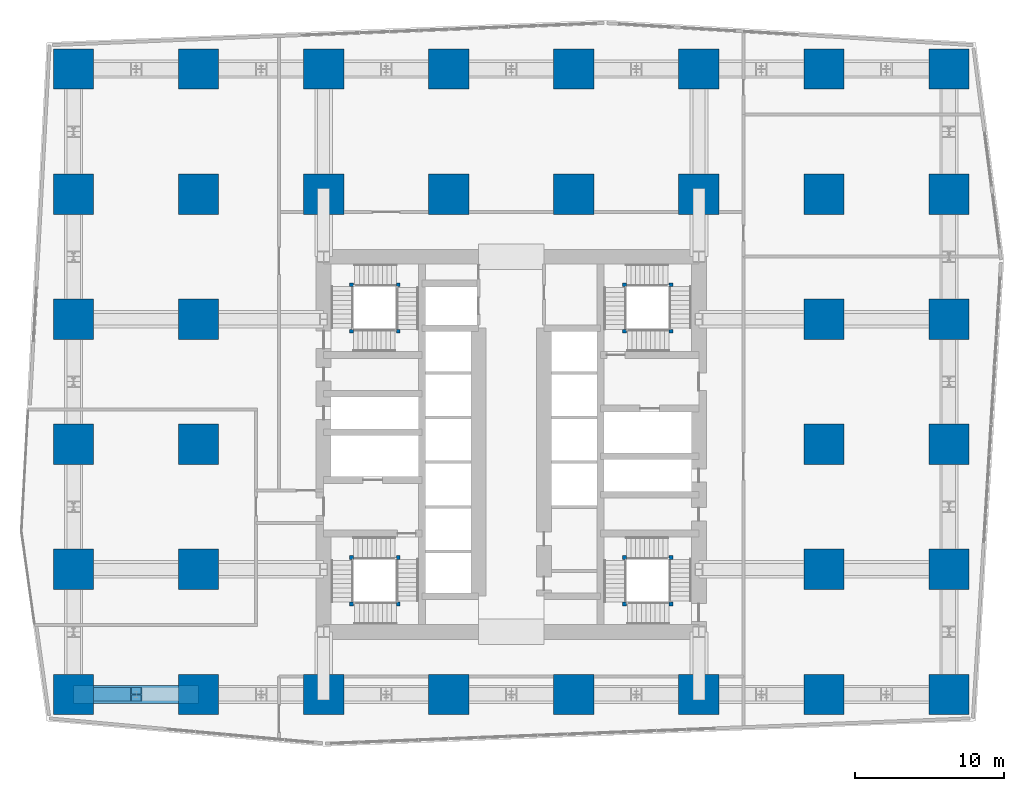
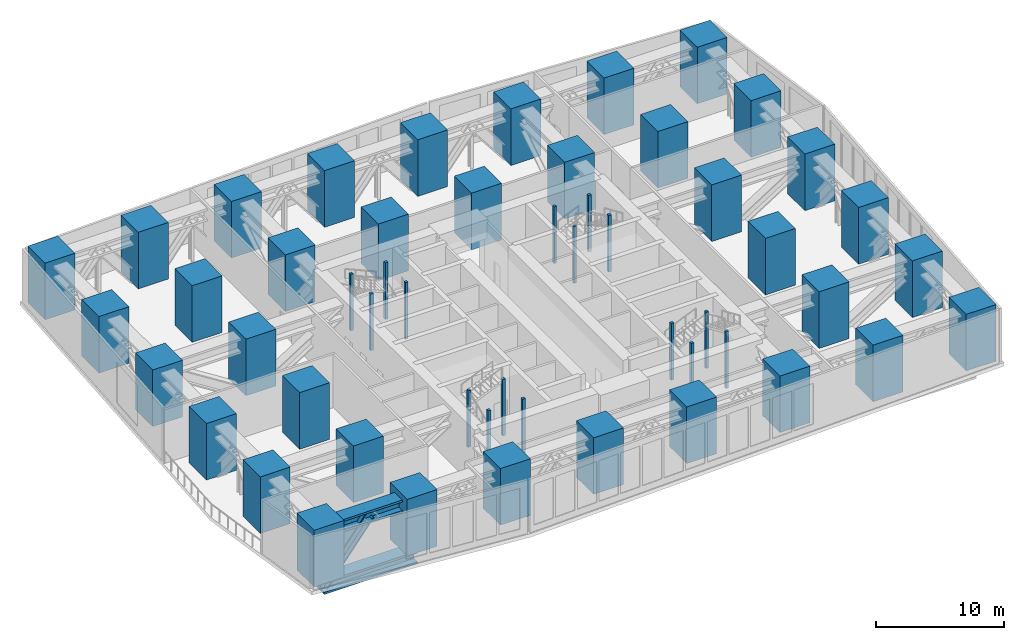
# One storey, part 1 of 16: 52 columns, 3 members.
"""IFC4 building model written with IfcOpenShell, lengths in metres."""

from ifc_helpers import new_model, si_unit, direction, frame, origin, origin_2d, place, context, subcontext, project, spatial, rectangle, i_section, extrude, material, material_profile, profile_set, type_object, element, save


model = new_model("IFC4")

# Units and contexts
model_context = context("Model", 3, precision=1e-05, world=origin(), true_north=direction((0.0, 1.0)))
body_context = subcontext(model_context, "Body", "Model", "MODEL_VIEW")
ifc_project = project(units=[si_unit("LENGTHUNIT", "METRE"), si_unit("AREAUNIT", "SQUARE_METRE"), si_unit("VOLUMEUNIT", "CUBIC_METRE"), si_unit("PLANEANGLEUNIT", "RADIAN"), si_unit("MASSUNIT", "GRAM", prefix="KILO")], contexts=[model_context])

# Site, building, storey
site_placement = place(None, origin())
site = spatial("IfcSite", under=ifc_project, at=site_placement, CompositionType="ELEMENT")
building_placement = place(site_placement, origin())
building = spatial("IfcBuilding", under=site, at=building_placement, Name="Rekha Terrace Tower", CompositionType="ELEMENT")
storey_placement = place(building_placement, frame((0.0, 0.0, 162.800048828125)))
storey = spatial("IfcBuildingStorey", under=building, at=storey_placement, Name="L41", CompositionType="ELEMENT", Elevation=162.800048828125)

# Columns
ifc_material_1 = material(Name="Concrete M70", Category="concrete")
ifc_material_profile_1 = material_profile(ifc_material_1, rectangle(XDim=2.699951171875, YDim=2.699951171875, at=origin_2d()), Name="RC 2700x2700")
ifc_profile_set_1 = profile_set([ifc_material_profile_1], Name="Concrete M70")
column_type_1 = type_object("IfcColumnType", Name="C4T 2700x2700 column", PredefinedType="COLUMN", material=ifc_profile_set_1)
for number, where, z_axis, x_axis, name in (
    (1, (8.39990234375, 16.800048828125, 0.0), (0.0, 0.0, 1.0), (1.0, 0.0, 0.0), "Column C4T 2/C L41"),
    (2, (8.39990234375, 25.199951171875, 0.0), (0.0, 0.0, 1.0), (1.0, 0.0, 0.0), "Column C4T 2/D L41"),
    (3, (8.39990234375, 33.60009765625, 0.0), (0.0, 0.0, 1.0), (1.0, 0.0, 0.0), "Column C4T 2/E L41"),
    (4, (8.39990234375, 42.0, 0.0), (0.0, 0.0, 1.0), (1.0, 0.0, 0.0), "Column C4T 2/F L41"),
    (5, (8.39990234375, 50.39990234375, 0.0), (0.0, 0.0, 1.0), (1.0, 0.0, 0.0), "Column C4T 2/G L41"),
    (6, (8.39990234375, 58.800048828125, 0.0), (0.0, 0.0, 1.0), (1.0, 0.0, 0.0), "Column C4T 2/H L41"),
    (7, (16.800048828125, 16.800048828125, 0.0), (0.0, 0.0, 1.0), (1.0, 0.0, 0.0), "Column C4T 3/C L41"),
    (8, (16.800048828125, 25.199951171875, 0.0), (0.0, 0.0, 1.0), (1.0, 0.0, 0.0), "Column C4T 3/D L41"),
    (9, (16.800048828125, 33.60009765625, 0.0), (0.0, 0.0, 1.0), (1.0, 0.0, 0.0), "Column C4T 3/E L41"),
    (10, (16.800048828125, 42.0, 0.0), (0.0, 0.0, 1.0), (1.0, 0.0, 0.0), "Column C4T 3/F L41"),
    (11, (16.800048828125, 50.39990234375, 0.0), (0.0, 0.0, 1.0), (1.0, 0.0, 0.0), "Column C4T 3/G L41"),
    (12, (16.800048828125, 58.800048828125, 0.0), (0.0, 0.0, 1.0), (1.0, 0.0, 0.0), "Column C4T 3/H L41"),
    (13, (25.199951171875, 16.800048828125, 0.0), (0.0, 0.0, 1.0), (1.0, 0.0, 0.0), "Column C4T 4/C L41"),
    (14, (25.199951171875, 50.39990234375, 0.0), (0.0, 0.0, 1.0), (1.0, 0.0, 0.0), "Column C4T 4/G L41"),
    (15, (25.199951171875, 58.800048828125, 0.0), (0.0, 0.0, 1.0), (1.0, 0.0, 0.0), "Column C4T 4/H L41"),
    (16, (33.60009765625, 16.800048828125, 0.0), (0.0, 0.0, 1.0), (1.0, 0.0, 0.0), "Column C4T 5/C L41"),
    (17, (33.60009765625, 50.39990234375, 0.0), (0.0, 0.0, 1.0), (1.0, 0.0, 0.0), "Column C4T 5/G L41"),
    (18, (33.60009765625, 58.800048828125, 0.0), (0.0, 0.0, 1.0), (1.0, 0.0, 0.0), "Column C4T 5/H L41"),
    (19, (42.0, 16.800048828125, 0.0), (0.0, 0.0, 1.0), (1.0, 0.0, 0.0), "Column C4T 6/C L41"),
    (20, (42.0, 50.39990234375, 0.0), (0.0, 0.0, 1.0), (1.0, 0.0, 0.0), "Column C4T 6/G L41"),
    (21, (42.0, 58.800048828125, 0.0), (0.0, 0.0, 1.0), (1.0, 0.0, 0.0), "Column C4T 6/H L41"),
    (22, (50.39990234375, 16.800048828125, 0.0), (0.0, 0.0, 1.0), (1.0, 0.0, 0.0), "Column C4T 7/C L41"),
    (23, (50.39990234375, 50.39990234375, 0.0), (0.0, 0.0, 1.0), (1.0, 0.0, 0.0), "Column C4T 7/G L41"),
    (24, (50.39990234375, 58.800048828125, 0.0), (0.0, 0.0, 1.0), (1.0, 0.0, 0.0), "Column C4T 7/H L41"),
    (25, (58.800048828125, 16.800048828125, 0.0), (0.0, 0.0, 1.0), (1.0, 0.0, 0.0), "Column C4T 8/C L41"),
    (26, (58.800048828125, 25.199951171875, 0.0), (0.0, 0.0, 1.0), (1.0, 0.0, 0.0), "Column C4T 8/D L41"),
    (27, (58.800048828125, 33.60009765625, 0.0), (0.0, 0.0, 1.0), (1.0, 0.0, 0.0), "Column C4T 8/E L41"),
    (28, (58.800048828125, 42.0, 0.0), (0.0, 0.0, 1.0), (1.0, 0.0, 0.0), "Column C4T 8/F L41"),
    (29, (58.800048828125, 50.39990234375, 0.0), (0.0, 0.0, 1.0), (1.0, 0.0, 0.0), "Column C4T 8/G L41"),
    (30, (58.800048828125, 58.800048828125, 0.0), (0.0, 0.0, 1.0), (1.0, 0.0, 0.0), "Column C4T 8/H L41"),
    (31, (67.199951171875, 16.800048828125, 0.0), (0.0, 0.0, 1.0), (1.0, 0.0, 0.0), "Column C4T 9/C L41"),
    (32, (67.199951171875, 25.199951171875, 0.0), (0.0, 0.0, 1.0), (1.0, 0.0, 0.0), "Column C4T 9/D L41"),
    (33, (67.199951171875, 33.60009765625, 0.0), (0.0, 0.0, 1.0), (1.0, 0.0, 0.0), "Column C4T 9/E L41"),
    (34, (67.199951171875, 42.0, 0.0), (0.0, 0.0, 1.0), (1.0, 0.0, 0.0), "Column C4T 9/F L41"),
    (35, (67.199951171875, 50.39990234375, 0.0), (0.0, 0.0, 1.0), (1.0, 0.0, 0.0), "Column C4T 9/G L41"),
    (36, (67.199951171875, 58.800048828125, 0.0), (0.0, 0.0, 1.0), (1.0, 0.0, 0.0), "Column C4T 9/H L41"),
):
    element("IfcColumn", number, at=place(storey_placement, frame(where, z_axis=z_axis, x_axis=x_axis)), inside=storey, type_object=column_type_1, Name=name, PredefinedType="COLUMN", context=body_context, shape_type="SweptSolid", body=[
        extrude(rectangle(XDim=2.699951171875, YDim=2.699951171875, at=origin_2d()), origin(), (0.0, 0.0, 1.0), 5.39990234375),
    ])
ifc_material_2 = material(Name="Concrete M60", Category="concrete")
ifc_material_profile_2 = material_profile(ifc_material_2, rectangle(XDim=0.25, YDim=0.25, at=origin_2d()), Name="RC 250x250")
ifc_profile_set_2 = profile_set([ifc_material_profile_2], Name="Concrete M60")
column_type_2 = type_object("IfcColumnType", Name="NP1 250x250 stair newel post", PredefinedType="COLUMN", material=ifc_profile_set_2)
for number, where, z_axis, x_axis, name in (
    (37, (30.199951171875, 26.0, 0.0), (0.0, 0.0, 1.0), (1.0, 0.0, 0.0), "Stair newel post NP1"),
    (38, (30.199951171875, 22.875, 0.0), (0.0, 0.0, 1.0), (1.0, 0.0, 0.0), "Stair newel post NP1"),
    (39, (27.074951171875, 22.875, 0.0), (0.0, 0.0, 1.0), (1.0, 0.0, 0.0), "Stair newel post NP1"),
    (40, (27.074951171875, 26.0, 0.0), (0.0, 0.0, 1.0), (1.0, 0.0, 0.0), "Stair newel post NP1"),
    (41, (45.39990234375, 41.199951171875, 0.0), (0.0, 0.0, 1.0), (1.0, 0.0, 0.0), "Stair newel post NP1"),
    (42, (45.39990234375, 44.324951171875, 0.0), (0.0, 0.0, 1.0), (1.0, 0.0, 0.0), "Stair newel post NP1"),
    (43, (48.52490234375, 44.324951171875, 0.0), (0.0, 0.0, 1.0), (1.0, 0.0, 0.0), "Stair newel post NP1"),
    (44, (48.52490234375, 41.199951171875, 0.0), (0.0, 0.0, 1.0), (1.0, 0.0, 0.0), "Stair newel post NP1"),
    (45, (48.52490234375, 22.875, 0.0), (0.0, 0.0, 1.0), (1.0, 0.0, 0.0), "Stair newel post NP1"),
    (46, (45.39990234375, 22.875, 0.0), (0.0, 0.0, 1.0), (1.0, 0.0, 0.0), "Stair newel post NP1"),
    (47, (45.39990234375, 26.0, 0.0), (0.0, 0.0, 1.0), (1.0, 0.0, 0.0), "Stair newel post NP1"),
    (48, (48.52490234375, 26.0, 0.0), (0.0, 0.0, 1.0), (1.0, 0.0, 0.0), "Stair newel post NP1"),
    (49, (27.074951171875, 41.199951171875, 0.0), (0.0, 0.0, 1.0), (1.0, 0.0, 0.0), "Stair newel post NP1"),
    (50, (30.199951171875, 41.199951171875, 0.0), (0.0, 0.0, 1.0), (1.0, 0.0, 0.0), "Stair newel post NP1"),
    (51, (30.199951171875, 44.324951171875, 0.0), (0.0, 0.0, 1.0), (1.0, 0.0, 0.0), "Stair newel post NP1"),
    (52, (27.074951171875, 44.324951171875, 0.0), (0.0, 0.0, 1.0), (1.0, 0.0, 0.0), "Stair newel post NP1"),
):
    element("IfcColumn", number, at=place(storey_placement, frame(where, z_axis=z_axis, x_axis=x_axis)), inside=storey, type_object=column_type_2, Name=name, PredefinedType="COLUMN", context=body_context, shape_type="SweptSolid", body=[
        extrude(rectangle(XDim=0.25, YDim=0.25, at=origin_2d()), origin(), (0.0, 0.0, 1.0), 5.39990234375),
    ])

# Members
ifc_material_3 = material(Name="Steel E350", Category="steel")
ifc_material_profile_3 = material_profile(ifc_material_3, i_section(OverallWidth=1.199951171875, OverallDepth=1.199951171875, WebThickness=0.1298828125, FlangeThickness=0.199951171875, at=origin_2d()), Name="BU 1200x1200x130x200")
ifc_profile_set_3 = profile_set([ifc_material_profile_3], Name="Steel E350")
member_type_1 = type_object("IfcMemberType", Name="BC41 BU 1200x1200x130x200 belt truss chord", PredefinedType="CHORD", material=ifc_profile_set_3)
for number, where, z_axis, x_axis, name in (
    (53, (8.39990234375, 16.800048828125, 4.300048828125), (1.0, 0.0, 0.0), (0.0, 1.0, 0.0), "Belt top chord 2C-3C L41"),
    (54, (8.39990234375, 16.800048828125, -1.050048828125), (1.0, 0.0, 0.0), (0.0, 1.0, 0.0), "Belt bottom chord 2C-3C L41"),
):
    element("IfcMember", number, at=place(storey_placement, frame(where, z_axis=z_axis, x_axis=x_axis)), inside=storey, type_object=member_type_1, Name=name, PredefinedType="CHORD", context=body_context, shape_type="SweptSolid", body=[
        extrude(i_section(OverallWidth=1.199951171875, OverallDepth=1.199951171875, WebThickness=0.1298828125, FlangeThickness=0.199951171875, at=origin_2d()), origin(), (0.0, 0.0, 1.0), 8.400146484375),
    ])
ifc_material_profile_4 = material_profile(ifc_material_3, i_section(OverallWidth=0.89990234375, OverallDepth=1.0, WebThickness=0.06005859375, FlangeThickness=0.10009765625, at=origin_2d()), Name="BU 1000x900x60x100")
ifc_profile_set_4 = profile_set([ifc_material_profile_4], Name="Steel E350")
member_type_2 = type_object("IfcMemberType", Name="BD41 BU 1000x900x60x100 belt truss diagonal", PredefinedType="BRACE", material=ifc_profile_set_4)
member_placement = place(storey_placement, frame((8.39990234375, 16.800048828125, -1.050048828125), z_axis=(0.617507634842, 0.0, 0.78656488665), x_axis=(0.0, 1.0, 0.0)))
element("IfcMember", 55, at=member_placement, inside=storey, type_object=member_type_2, Name="Belt diagonal 2C-3C L41", PredefinedType="BRACE", context=body_context, shape_type="SweptSolid", body=[
    extrude(i_section(OverallWidth=0.89990234375, OverallDepth=1.0, WebThickness=0.06005859375, FlangeThickness=0.10009765625, at=origin_2d()), origin(), (0.0, 0.0, 1.0), 6.8017578125),
])

save(model, "model.ifc")
